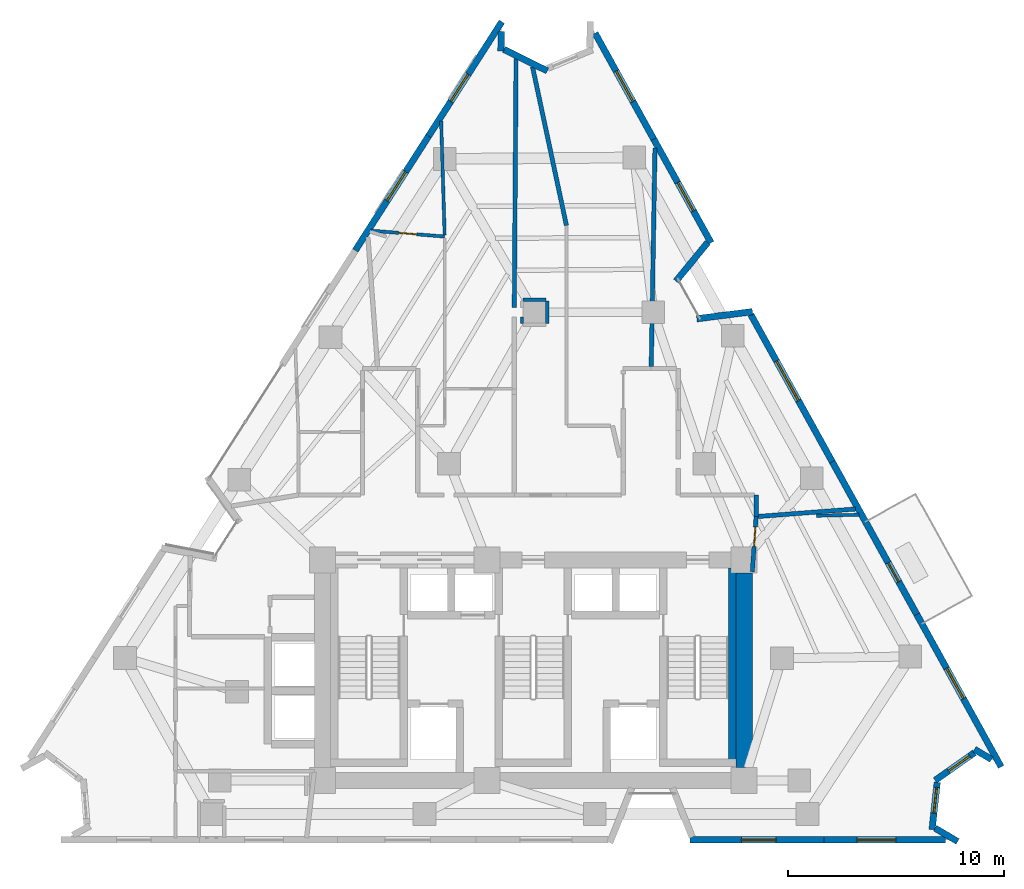
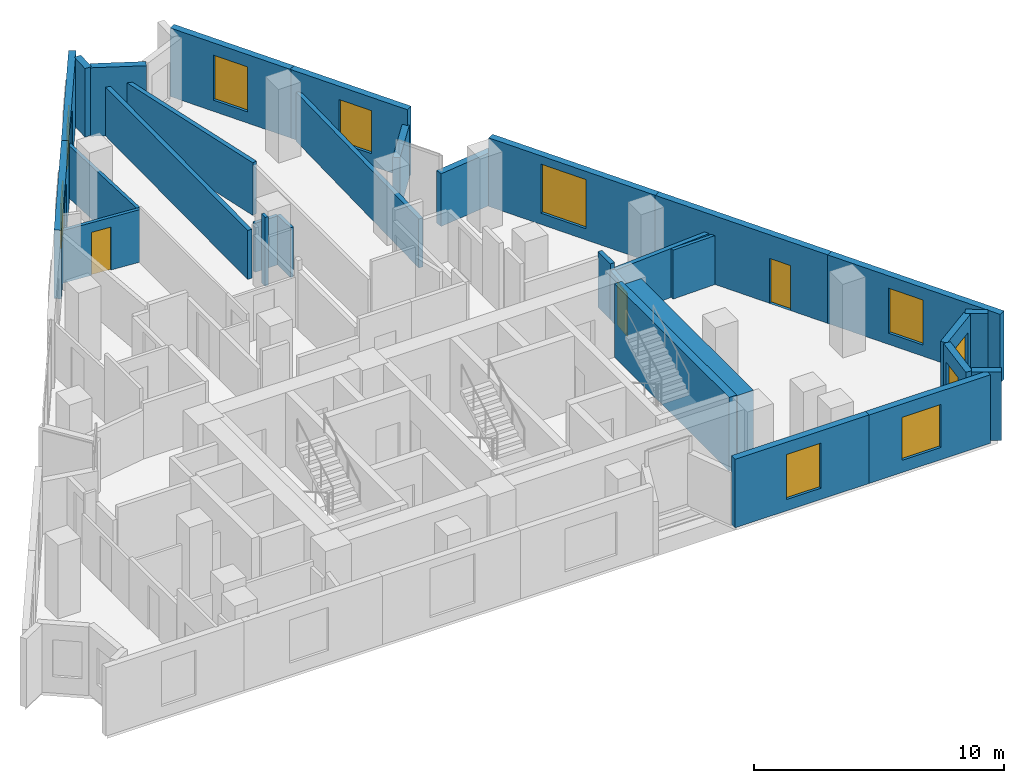
# One storey, part 8 of 11: 31 walls, 10 windows, 3 doors, 13 openings.
"""IFC4 building model written with IfcOpenShell, lengths in metres."""

from ifc_helpers import new_model, si_unit, direction, frame, frame_2d, origin, place, context, subcontext, project, spatial, rectangle, extrude, material, layer, layer_set, type_object, element, fill, save


model = new_model("IFC4")

# Units and contexts
model_context = context("Model", 3, precision=1e-05, world=origin(), true_north=direction((0.0, 1.0)))
body_context = subcontext(model_context, "Body", "Model", "MODEL_VIEW")
ifc_project = project(units=[si_unit("LENGTHUNIT", "METRE"), si_unit("AREAUNIT", "SQUARE_METRE"), si_unit("VOLUMEUNIT", "CUBIC_METRE"), si_unit("PLANEANGLEUNIT", "RADIAN"), si_unit("MASSUNIT", "GRAM", prefix="KILO")], contexts=[model_context])

# Site, building, storey
site_placement = place(None, origin())
site = spatial("IfcSite", under=ifc_project, at=site_placement, CompositionType="ELEMENT")
building_placement = place(site_placement, origin())
building = spatial("IfcBuilding", under=site, at=building_placement, Name="Almagre Mirador Tower", CompositionType="ELEMENT")
storey_placement = place(building_placement, frame((0.0, 0.0, 160.800048828125)))
storey = spatial("IfcBuildingStorey", under=building, at=storey_placement, Name="L41", CompositionType="ELEMENT", Elevation=160.800048828125)

# Wall, opening, window
ifc_material_1 = material(Name="Precast concrete C50/60", Category="concrete")
ifc_layer_1 = layer(ifc_material_1, 0.300048828125)
ifc_layer_set_1 = layer_set([ifc_layer_1], Name="Precast concrete C50/60")
wall_type_1 = type_object("IfcWallType", Name="WAL-EXT-300", PredefinedType="SOLIDWALL", material=ifc_layer_set_1)
wall_1_placement = place(storey_placement, frame((29.06689453125, 29.05859375, 0.0), z_axis=(0.0, 0.0, 1.0), x_axis=(0.539534675603, 0.841963380333, 0.0)))
wall_1 = element("IfcWall", 1, at=wall_1_placement, inside=storey, type_object=wall_type_1, Name="L41 expressed almagre precast frame wall 04", PredefinedType="SOLIDWALL", context=body_context, shape_type="SweptSolid", body=[
    extrude(rectangle(XDim=6.27880859375, YDim=0.300048828125, at=frame_2d((3.139404296875, 0.0))), origin(), (0.0, 0.0, 1.0), 3.349853515625),
])
opening_1_placement = place(wall_1_placement, frame((2.72509765625, 0.0, 0.550048828125)))
opening_1 = element("IfcOpeningElement", 2, at=opening_1_placement, cuts=wall_1, Name="Opening WN-06", PredefinedType="OPENING", context=body_context, shape_type="SweptSolid", body=[
    extrude(rectangle(XDim=1.60009765625, YDim=2.199951171875, at=frame_2d((0.800048828125, 1.10009765625))), frame((0.0, 0.159902, 0.0), z_axis=(0.0, -1.0, 0.0), x_axis=(1.0, 0.0, 0.0)), (0.0, 0.0, 1.0), 0.320049),
])
ifc_material_2 = material(Name="Dark solar-control laminated hurricane glass", Category="glass")
window_type_1 = type_object("IfcWindowType", Name="WIN-1600X2200", PartitioningType="DOUBLE_PANEL_VERTICAL", PredefinedType="WINDOW", material=ifc_material_2)
window_1_placement = place(opening_1_placement, origin())
window_1 = element("IfcWindow", 3, at=window_1_placement, inside=storey, type_object=window_type_1, Name="L41 recessed hurricane window L41-UG-HB", OverallHeight=2.199951171875, OverallWidth=1.60009765625, PartitioningType="SINGLE_PANEL", PredefinedType="WINDOW", context=body_context, shape_type="SweptSolid", body=[
    extrude(rectangle(XDim=1.60009765625, YDim=2.199951171875, at=frame_2d((0.800048828125, 1.10009765625))), frame((0.0, 0.030029296875, 0.0), z_axis=(0.0, -1.0, 0.0), x_axis=(1.0, 0.0, 0.0)), (0.0, 0.0, 1.0), 0.06005859375),
])
fill(opening_1, window_1)

wall_2_placement = place(storey_placement, frame((32.45458984375, 34.34521484375, 0.0), z_axis=(0.0, 0.0, 1.0), x_axis=(0.539489448276, 0.841992360535, 0.0)))
wall_2 = element("IfcWall", 4, at=wall_2_placement, inside=storey, type_object=wall_type_1, Name="L41 expressed almagre precast frame wall 05", PredefinedType="SOLIDWALL", context=body_context, shape_type="SweptSolid", body=[
    extrude(rectangle(XDim=6.279052734375, YDim=0.300048828125, at=frame_2d((3.1396484375, 0.0))), origin(), (0.0, 0.0, 1.0), 3.349853515625),
])
opening_2_placement = place(wall_2_placement, frame((1.89990234375, 0.0, 0.60009765625)))
opening_2 = element("IfcOpeningElement", 5, at=opening_2_placement, cuts=wall_2, Name="Opening WN-03", PredefinedType="OPENING", context=body_context, shape_type="SweptSolid", body=[
    extrude(rectangle(XDim=1.5, YDim=2.10009765625, at=frame_2d((0.75, 1.050048828125))), frame((0.0, 0.159902, 0.0), z_axis=(0.0, -1.0, 0.0), x_axis=(1.0, 0.0, 0.0)), (0.0, 0.0, 1.0), 0.320049),
])
ifc_material_3 = material(Name="Dark solar-control laminated hurricane glass", Category="glass")
window_type_2 = type_object("IfcWindowType", Name="WIN-1500X2100", PartitioningType="DOUBLE_PANEL_VERTICAL", PredefinedType="WINDOW", material=ifc_material_3)
window_2_placement = place(opening_2_placement, origin())
window_2 = element("IfcWindow", 6, at=window_2_placement, inside=storey, type_object=window_type_2, Name="L41 recessed hurricane window L41-UG-SL1", OverallHeight=2.10009765625, OverallWidth=1.5, PartitioningType="SINGLE_PANEL", PredefinedType="WINDOW", context=body_context, shape_type="SweptSolid", body=[
    extrude(rectangle(XDim=1.5, YDim=2.10009765625, at=frame_2d((0.75, 1.050048828125))), frame((0.0, 0.030029296875, 0.0), z_axis=(0.0, -1.0, 0.0), x_axis=(1.0, 0.0, 0.0)), (0.0, 0.0, 1.0), 0.06005859375),
])
fill(opening_2, window_2)

# Walls
wall_3_placement = place(storey_placement, frame((35.82763671875, 39.187255859375, 0.0), z_axis=(0.0, 0.0, 1.0), x_axis=(-0.031938584897, -0.999489833262, 0.0)))
element("IfcWall", 7, at=wall_3_placement, inside=storey, type_object=wall_type_1, Name="L41 expressed almagre precast frame wall 06", PredefinedType="SOLIDWALL", context=body_context, shape_type="SweptSolid", body=[
    extrude(rectangle(XDim=0.90966796875, YDim=0.300048828125, at=frame_2d((0.454833984375, 0.0))), origin(), (0.0, 0.0, 1.0), 3.349853515625),
])
wall_4_placement = place(storey_placement, frame((35.928466796875, 38.35595703125, 0.0), z_axis=(0.0, 0.0, 1.0), x_axis=(0.896845505116, -0.442343915922, 0.0)))
element("IfcWall", 8, at=wall_4_placement, inside=storey, type_object=wall_type_1, Name="L41 expressed almagre precast frame wall 07", PredefinedType="SOLIDWALL", context=body_context, shape_type="SweptSolid", body=[
    extrude(rectangle(XDim=2.2490234375, YDim=0.300048828125, at=frame_2d((1.12451171875, 0.0))), origin(), (0.0, 0.0, 1.0), 3.349853515625),
])

# Wall, opening, window
wall_5_placement = place(storey_placement, frame((40.15478515625, 39.106201171875, 0.0), z_axis=(0.0, 0.0, 1.0), x_axis=(0.484204903903, -0.874954633702, 0.0)))
wall_5 = element("IfcWall", 9, at=wall_5_placement, inside=storey, type_object=wall_type_1, Name="L41 expressed almagre precast frame wall 10", PredefinedType="SOLIDWALL", context=body_context, shape_type="SweptSolid", body=[
    extrude(rectangle(XDim=5.653076171875, YDim=0.300048828125, at=frame_2d((2.82666015625, 0.0))), origin(), (0.0, 0.0, 1.0), 3.349853515625),
])
opening_3_placement = place(wall_5_placement, frame((2.010009765625, 0.0, 0.550048828125)))
opening_3 = element("IfcOpeningElement", 10, at=opening_3_placement, cuts=wall_5, Name="Opening WN-06", PredefinedType="OPENING", context=body_context, shape_type="SweptSolid", body=[
    extrude(rectangle(XDim=1.60009765625, YDim=2.199951171875, at=frame_2d((0.800048828125, 1.10009765625))), frame((0.0, 0.159902, 0.0), z_axis=(0.0, -1.0, 0.0), x_axis=(1.0, 0.0, 0.0)), (0.0, 0.0, 1.0), 0.320049),
])
window_3_placement = place(opening_3_placement, origin())
window_3 = element("IfcWindow", 11, at=window_3_placement, inside=storey, type_object=window_type_1, Name="L41 recessed hurricane window L41-RST-H", OverallHeight=2.199951171875, OverallWidth=1.60009765625, PartitioningType="SINGLE_PANEL", PredefinedType="WINDOW", context=body_context, shape_type="SweptSolid", body=[
    extrude(rectangle(XDim=1.60009765625, YDim=2.199951171875, at=frame_2d((0.800048828125, 1.10009765625))), frame((0.0, 0.030029296875, 0.0), z_axis=(0.0, -1.0, 0.0), x_axis=(1.0, 0.0, 0.0)), (0.0, 0.0, 1.0), 0.06005859375),
])
fill(opening_3, window_3)

wall_6_placement = place(storey_placement, frame((42.866455078125, 34.206298828125, 0.0), z_axis=(0.0, 0.0, 1.0), x_axis=(0.484193476584, -0.874960957548, 0.0)))
wall_6 = element("IfcWall", 12, at=wall_6_placement, inside=storey, type_object=wall_type_1, Name="L41 expressed almagre precast frame wall 11", PredefinedType="SOLIDWALL", context=body_context, shape_type="SweptSolid", body=[
    extrude(rectangle(XDim=5.47998046875, YDim=0.300048828125, at=frame_2d((2.739990234375, 0.0))), origin(), (0.0, 0.0, 1.0), 3.349853515625),
])
opening_4_placement = place(wall_6_placement, frame((2.294921875, 0.0, 0.60009765625)))
opening_4 = element("IfcOpeningElement", 13, at=opening_4_placement, cuts=wall_6, Name="Opening WN-03", PredefinedType="OPENING", context=body_context, shape_type="SweptSolid", body=[
    extrude(rectangle(XDim=1.5, YDim=2.10009765625, at=frame_2d((0.75, 1.050048828125))), frame((0.0, 0.159902, 0.0), z_axis=(0.0, -1.0, 0.0), x_axis=(1.0, 0.0, 0.0)), (0.0, 0.0, 1.0), 0.320049),
])
window_4_placement = place(opening_4_placement, origin())
window_4 = element("IfcWindow", 14, at=window_4_placement, inside=storey, type_object=window_type_2, Name="L41 recessed hurricane window L41-UF-ST", OverallHeight=2.10009765625, OverallWidth=1.5, PartitioningType="SINGLE_PANEL", PredefinedType="WINDOW", context=body_context, shape_type="SweptSolid", body=[
    extrude(rectangle(XDim=1.5, YDim=2.10009765625, at=frame_2d((0.75, 1.050048828125))), frame((0.0, 0.030029296875, 0.0), z_axis=(0.0, -1.0, 0.0), x_axis=(1.0, 0.0, 0.0)), (0.0, 0.0, 1.0), 0.06005859375),
])
fill(opening_4, window_4)

# Walls
wall_7_placement = place(storey_placement, frame((45.36328125, 29.42578125, 0.0), z_axis=(0.0, 0.0, 1.0), x_axis=(-0.634082112051, -0.773265720937, 0.0)))
element("IfcWall", 15, at=wall_7_placement, inside=storey, type_object=wall_type_1, Name="L41 expressed almagre precast frame wall 12", PredefinedType="SOLIDWALL", context=body_context, shape_type="SweptSolid", body=[
    extrude(rectangle(XDim=2.313720703125, YDim=0.300048828125, at=frame_2d((1.15673828125, 0.0))), origin(), (0.0, 0.0, 1.0), 2.574951171875),
])
wall_8_placement = place(storey_placement, frame((44.858154296875, 25.8994140625, 0.0), z_axis=(0.0, 0.0, 1.0), x_axis=(0.991953049751, 0.126606267974, 0.0)))
element("IfcWall", 16, at=wall_8_placement, inside=storey, type_object=wall_type_1, Name="L41 expressed almagre precast frame wall 13", PredefinedType="SOLIDWALL", context=body_context, shape_type="SweptSolid", body=[
    extrude(rectangle(XDim=2.593505859375, YDim=0.300048828125, at=frame_2d((1.296875, 0.0))), origin(), (0.0, 0.0, 1.0), 2.574951171875),
])

# Wall, opening, window
wall_9_placement = place(storey_placement, frame((47.35986328125, 26.08740234375, 0.0), z_axis=(0.0, 0.0, 1.0), x_axis=(0.484182040501, -0.874967286049, 0.0)))
wall_9 = element("IfcWall", 17, at=wall_9_placement, inside=storey, type_object=wall_type_1, Name="L41 expressed almagre precast frame wall 14", PredefinedType="SOLIDWALL", context=body_context, shape_type="SweptSolid", body=[
    extrude(rectangle(XDim=7.779296875, YDim=0.300048828125, at=frame_2d((3.8896484375, 0.0))), origin(), (0.0, 0.0, 1.0), 3.349853515625),
])
opening_5_placement = place(wall_9_placement, frame((2.445068359375, 0.0, 0.550048828125)))
opening_5 = element("IfcOpeningElement", 18, at=opening_5_placement, cuts=wall_9, Name="Opening WN-05", PredefinedType="OPENING", context=body_context, shape_type="SweptSolid", body=[
    extrude(rectangle(XDim=2.10009765625, YDim=2.39990234375, at=frame_2d((1.050048828125, 1.199951171875))), frame((0.0, 0.159902, 0.0), z_axis=(0.0, -1.0, 0.0), x_axis=(1.0, 0.0, 0.0)), (0.0, 0.0, 1.0), 0.320049),
])
ifc_material_4 = material(Name="Dark solar-control laminated hurricane glass", Category="glass")
window_type_3 = type_object("IfcWindowType", Name="WIN-2100X2400", PartitioningType="DOUBLE_PANEL_VERTICAL", PredefinedType="WINDOW", material=ifc_material_4)
window_5_placement = place(opening_5_placement, origin())
window_5 = element("IfcWindow", 19, at=window_5_placement, inside=storey, type_object=window_type_3, Name="L41 recessed hurricane window L41-UF-ST", OverallHeight=2.39990234375, OverallWidth=2.10009765625, PartitioningType="SINGLE_PANEL", PredefinedType="WINDOW", context=body_context, shape_type="SweptSolid", body=[
    extrude(rectangle(XDim=2.10009765625, YDim=2.39990234375, at=frame_2d((1.050048828125, 1.199951171875))), frame((0.0, 0.030029296875, 0.0), z_axis=(0.0, -1.0, 0.0), x_axis=(1.0, 0.0, 0.0)), (0.0, 0.0, 1.0), 0.06005859375),
])
fill(opening_5, window_5)

# Wall, opening, door
wall_10_placement = place(storey_placement, frame((51.12646484375, 19.28076171875, 0.0), z_axis=(0.0, 0.0, 1.0), x_axis=(0.484181305153, -0.87496769297, 0.0)))
wall_10 = element("IfcWall", 20, at=wall_10_placement, inside=storey, type_object=wall_type_1, Name="L41 expressed almagre precast frame wall 15", PredefinedType="SOLIDWALL", context=body_context, shape_type="SweptSolid", body=[
    extrude(rectangle(XDim=8.05908203125, YDim=0.300048828125, at=frame_2d((4.029541015625, 0.0))), origin(), (0.0, 0.0, 1.0), 3.349853515625),
])
opening_6_placement = place(wall_10_placement, frame((5.3349609375, 0.0, 0.0)))
opening_6 = element("IfcOpeningElement", 21, at=opening_6_placement, cuts=wall_10, Name="Opening BD-01", PredefinedType="OPENING", context=body_context, shape_type="SweptSolid", body=[
    extrude(rectangle(XDim=1.0, YDim=2.199951171875, at=frame_2d((0.5, 1.10009765625))), frame((0.0, 0.159902, 0.0), z_axis=(0.0, -1.0, 0.0), x_axis=(1.0, 0.0, 0.0)), (0.0, 0.0, 1.0), 0.320049),
])
ifc_material_5 = material(Name="Black anodized aluminium and laminated glass", Category="aluminium")
door_type_1 = type_object("IfcDoorType", Name="DOR-BAL-1000X2200", OperationType="NOTDEFINED", PredefinedType="DOOR", material=ifc_material_5)
door_1_placement = place(opening_6_placement, origin())
door_1 = element("IfcDoor", 22, at=door_1_placement, inside=storey, type_object=door_type_1, Name="DR-1315 L41 east balcony glazed door 1", OperationType="SINGLE_SWING_RIGHT", OverallHeight=2.199951171875, OverallWidth=1.0, PredefinedType="DOOR", context=body_context, shape_type="SweptSolid", body=[
    extrude(rectangle(XDim=1.0, YDim=2.199951171875, at=frame_2d((0.5, 1.10009765625))), frame((0.0, 0.02490234375, 0.0), z_axis=(0.0, -1.0, 0.0), x_axis=(1.0, 0.0, 0.0)), (0.0, 0.0, 1.0), 0.050048828125),
])
fill(opening_6, door_1)

# Wall, opening, window
wall_11_placement = place(storey_placement, frame((55.028564453125, 12.229248046875, 0.0), z_axis=(0.0, 0.0, 1.0), x_axis=(0.484191662818, -0.874961961263, 0.0)))
wall_11 = element("IfcWall", 23, at=wall_11_placement, inside=storey, type_object=wall_type_1, Name="L41 expressed almagre precast frame wall 16", PredefinedType="SOLIDWALL", context=body_context, shape_type="SweptSolid", body=[
    extrude(rectangle(XDim=8.0595703125, YDim=0.300048828125, at=frame_2d((4.02978515625, 0.0))), origin(), (0.0, 0.0, 1.0), 3.349853515625),
])
opening_7_placement = place(wall_11_placement, frame((2.85009765625, 0.0, 0.550048828125)))
opening_7 = element("IfcOpeningElement", 24, at=opening_7_placement, cuts=wall_11, Name="Opening WN-06", PredefinedType="OPENING", context=body_context, shape_type="SweptSolid", body=[
    extrude(rectangle(XDim=1.60009765625, YDim=2.199951171875, at=frame_2d((0.800048828125, 1.10009765625))), frame((0.0, 0.159902, 0.0), z_axis=(0.0, -1.0, 0.0), x_axis=(1.0, 0.0, 0.0)), (0.0, 0.0, 1.0), 0.320049),
])
window_6_placement = place(opening_7_placement, origin())
window_6 = element("IfcWindow", 25, at=window_6_placement, inside=storey, type_object=window_type_1, Name="L41 recessed hurricane window L41-UC-MB", OverallHeight=2.199951171875, OverallWidth=1.60009765625, PartitioningType="SINGLE_PANEL", PredefinedType="WINDOW", context=body_context, shape_type="SweptSolid", body=[
    extrude(rectangle(XDim=1.60009765625, YDim=2.199951171875, at=frame_2d((0.800048828125, 1.10009765625))), frame((0.0, 0.030029296875, 0.0), z_axis=(0.0, -1.0, 0.0), x_axis=(1.0, 0.0, 0.0)), (0.0, 0.0, 1.0), 0.06005859375),
])
fill(opening_7, window_6)

# Wall
wall_12_placement = place(storey_placement, frame((58.48388671875, 5.523681640625, 0.0), z_axis=(0.0, 0.0, 1.0), x_axis=(-0.861425815417, 0.507883416281, 0.0)))
element("IfcWall", 26, at=wall_12_placement, inside=storey, type_object=wall_type_1, Name="L41 expressed almagre precast frame wall 17", PredefinedType="SOLIDWALL", context=body_context, shape_type="SweptSolid", body=[
    extrude(rectangle(XDim=0.914306640625, YDim=0.300048828125, at=frame_2d((0.45703125, 0.0))), origin(), (0.0, 0.0, 1.0), 3.349853515625),
])

# Wall, opening, window
wall_13_placement = place(storey_placement, frame((57.698486328125, 5.83349609375, 0.0), z_axis=(0.0, 0.0, 1.0), x_axis=(-0.817967042546, -0.575265084382, 0.0)))
wall_13 = element("IfcWall", 27, at=wall_13_placement, inside=storey, type_object=wall_type_1, Name="L41 expressed almagre precast frame wall 18", PredefinedType="SOLIDWALL", context=body_context, shape_type="SweptSolid", body=[
    extrude(rectangle(XDim=2.22509765625, YDim=0.300048828125, at=frame_2d((1.112548828125, 0.0))), origin(), (0.0, 0.0, 1.0), 3.349853515625),
])
opening_8_placement = place(wall_13_placement, frame((0.264892578125, 0.0, 0.800048828125)))
opening_8 = element("IfcOpeningElement", 28, at=opening_8_placement, cuts=wall_13, Name="Opening WN-04", PredefinedType="OPENING", context=body_context, shape_type="SweptSolid", body=[
    extrude(rectangle(XDim=1.199951171875, YDim=1.800048828125, at=frame_2d((0.60009765625, 0.89990234375))), frame((0.0, 0.159902, 0.0), z_axis=(0.0, -1.0, 0.0), x_axis=(1.0, 0.0, 0.0)), (0.0, 0.0, 1.0), 0.320049),
])
ifc_material_6 = material(Name="Dark solar-control laminated hurricane glass", Category="glass")
window_type_4 = type_object("IfcWindowType", Name="WIN-1200X1800", PartitioningType="SINGLE_PANEL", PredefinedType="WINDOW", material=ifc_material_6)
window_7_placement = place(opening_8_placement, origin())
window_7 = element("IfcWindow", 29, at=window_7_placement, inside=storey, type_object=window_type_4, Name="L41 recessed hurricane window L41-UC-MB", OverallHeight=1.800048828125, OverallWidth=1.199951171875, PartitioningType="SINGLE_PANEL", PredefinedType="WINDOW", context=body_context, shape_type="SweptSolid", body=[
    extrude(rectangle(XDim=1.199951171875, YDim=1.800048828125, at=frame_2d((0.60009765625, 0.89990234375))), frame((0.0, 0.030029296875, 0.0), z_axis=(0.0, -1.0, 0.0), x_axis=(1.0, 0.0, 0.0)), (0.0, 0.0, 1.0), 0.06005859375),
])
fill(opening_8, window_7)

wall_14_placement = place(storey_placement, frame((55.975341796875, 4.469970703125, 0.0), z_axis=(0.0, 0.0, 1.0), x_axis=(-0.107733264194, -0.994179834731, 0.0)))
wall_14 = element("IfcWall", 30, at=wall_14_placement, inside=storey, type_object=wall_type_1, Name="L41 expressed almagre precast frame wall 19", PredefinedType="SOLIDWALL", context=body_context, shape_type="SweptSolid", body=[
    extrude(rectangle(XDim=2.205078125, YDim=0.300048828125, at=frame_2d((1.1025390625, 0.0))), origin(), (0.0, 0.0, 1.0), 3.349853515625),
])
opening_9_placement = place(wall_14_placement, frame((0.2451171875, 0.0, 0.800048828125)))
opening_9 = element("IfcOpeningElement", 31, at=opening_9_placement, cuts=wall_14, Name="Opening WN-04", PredefinedType="OPENING", context=body_context, shape_type="SweptSolid", body=[
    extrude(rectangle(XDim=1.199951171875, YDim=1.800048828125, at=frame_2d((0.60009765625, 0.89990234375))), frame((0.0, 0.159902, 0.0), z_axis=(0.0, -1.0, 0.0), x_axis=(1.0, 0.0, 0.0)), (0.0, 0.0, 1.0), 0.320049),
])
window_8_placement = place(opening_9_placement, origin())
window_8 = element("IfcWindow", 32, at=window_8_placement, inside=storey, type_object=window_type_4, Name="L41 recessed hurricane window L41-UC-MB", OverallHeight=1.800048828125, OverallWidth=1.199951171875, PartitioningType="SINGLE_PANEL", PredefinedType="WINDOW", context=body_context, shape_type="SweptSolid", body=[
    extrude(rectangle(XDim=1.199951171875, YDim=1.800048828125, at=frame_2d((0.60009765625, 0.89990234375))), frame((0.0, 0.030029296875, 0.0), z_axis=(0.0, -1.0, 0.0), x_axis=(1.0, 0.0, 0.0)), (0.0, 0.0, 1.0), 0.06005859375),
])
fill(opening_9, window_8)

# Wall
wall_15_placement = place(storey_placement, frame((55.87353515625, 2.345947265625, 0.0), z_axis=(0.0, 0.0, 1.0), x_axis=(0.861577684209, -0.50762574213, 0.0)))
element("IfcWall", 33, at=wall_15_placement, inside=storey, type_object=wall_type_1, Name="L41 expressed almagre precast frame wall 20", PredefinedType="SOLIDWALL", context=body_context, shape_type="SweptSolid", body=[
    extrude(rectangle(XDim=1.21533203125, YDim=0.300048828125, at=frame_2d((0.607666015625, 0.0))), origin(), (0.0, 0.0, 1.0), 3.349853515625),
])

# Wall, opening, window
wall_16_placement = place(storey_placement, frame((56.360107421875, 1.800048828125, 0.0), z_axis=(0.0, 0.0, 1.0), x_axis=(-1.0, 0.0, 0.0)))
wall_16 = element("IfcWall", 34, at=wall_16_placement, inside=storey, type_object=wall_type_1, Name="L41 expressed almagre precast frame wall 21", PredefinedType="SOLIDWALL", context=body_context, shape_type="SweptSolid", body=[
    extrude(rectangle(XDim=5.614013671875, YDim=0.300048828125, at=frame_2d((2.80712890625, 0.0))), origin(), (0.0, 0.0, 1.0), 3.349853515625),
])
opening_10_placement = place(wall_16_placement, frame((2.294921875, 0.0, 0.60009765625)))
opening_10 = element("IfcOpeningElement", 35, at=opening_10_placement, cuts=wall_16, Name="Opening WN-01", PredefinedType="OPENING", context=body_context, shape_type="SweptSolid", body=[
    extrude(rectangle(XDim=1.800048828125, YDim=2.10009765625, at=frame_2d((0.89990234375, 1.050048828125))), frame((0.0, 0.159902, 0.0), z_axis=(0.0, -1.0, 0.0), x_axis=(1.0, 0.0, 0.0)), (0.0, 0.0, 1.0), 0.320049),
])
ifc_material_7 = material(Name="Dark solar-control laminated hurricane glass", Category="glass")
window_type_5 = type_object("IfcWindowType", Name="WIN-1800X2100", PartitioningType="DOUBLE_PANEL_VERTICAL", PredefinedType="WINDOW", material=ifc_material_7)
window_9_placement = place(opening_10_placement, origin())
window_9 = element("IfcWindow", 36, at=window_9_placement, inside=storey, type_object=window_type_5, Name="L41 recessed hurricane window L41-UC-KT", OverallHeight=2.10009765625, OverallWidth=1.800048828125, PartitioningType="SINGLE_PANEL", PredefinedType="WINDOW", context=body_context, shape_type="SweptSolid", body=[
    extrude(rectangle(XDim=1.800048828125, YDim=2.10009765625, at=frame_2d((0.89990234375, 1.050048828125))), frame((0.0, 0.030029296875, 0.0), z_axis=(0.0, -1.0, 0.0), x_axis=(1.0, 0.0, 0.0)), (0.0, 0.0, 1.0), 0.06005859375),
])
fill(opening_10, window_9)

wall_17_placement = place(storey_placement, frame((50.74609375, 1.800048828125, 0.0), z_axis=(0.0, 0.0, 1.0), x_axis=(-1.0, 0.0, 0.0)))
wall_17 = element("IfcWall", 37, at=wall_17_placement, inside=storey, type_object=wall_type_1, Name="L41 expressed almagre precast frame wall 22", PredefinedType="SOLIDWALL", context=body_context, shape_type="SweptSolid", body=[
    extrude(rectangle(XDim=6.194091796875, YDim=0.300048828125, at=frame_2d((3.09716796875, 0.0))), origin(), (0.0, 0.0, 1.0), 3.349853515625),
])
opening_11_placement = place(wall_17_placement, frame((2.22509765625, 0.0, 0.550048828125)))
opening_11 = element("IfcOpeningElement", 38, at=opening_11_placement, cuts=wall_17, Name="Opening WN-06", PredefinedType="OPENING", context=body_context, shape_type="SweptSolid", body=[
    extrude(rectangle(XDim=1.60009765625, YDim=2.199951171875, at=frame_2d((0.800048828125, 1.10009765625))), frame((0.0, 0.159902, 0.0), z_axis=(0.0, -1.0, 0.0), x_axis=(1.0, 0.0, 0.0)), (0.0, 0.0, 1.0), 0.320049),
])
window_10_placement = place(opening_11_placement, origin())
window_10 = element("IfcWindow", 39, at=window_10_placement, inside=storey, type_object=window_type_1, Name="L41 recessed hurricane window L41-RST-B", OverallHeight=2.199951171875, OverallWidth=1.60009765625, PartitioningType="SINGLE_PANEL", PredefinedType="WINDOW", context=body_context, shape_type="SweptSolid", body=[
    extrude(rectangle(XDim=1.60009765625, YDim=2.199951171875, at=frame_2d((0.800048828125, 1.10009765625))), frame((0.0, 0.030029296875, 0.0), z_axis=(0.0, -1.0, 0.0), x_axis=(1.0, 0.0, 0.0)), (0.0, 0.0, 1.0), 0.06005859375),
])
fill(opening_11, window_10)

# Wall, opening, door
ifc_material_8 = material(Name="Gypsum acoustic stud partition", Category="other")
ifc_layer_2 = layer(ifc_material_8, 0.14990234375)
ifc_layer_set_2 = layer_set([ifc_layer_2], Name="Gypsum acoustic stud partition")
wall_type_2 = type_object("IfcWallType", Name="WAL-PRT-150-STD", PredefinedType="PARTITIONING", material=ifc_layer_set_2)
wall_18_placement = place(storey_placement, frame((33.199951171875, 29.699951171875, 0.0), z_axis=(0.0, 0.0, 1.0), x_axis=(-0.996817095408, 0.079722508132, 0.0)))
wall_18 = element("IfcWall", 40, at=wall_18_placement, inside=storey, type_object=wall_type_2, Name="L41 interior partition 059", PredefinedType="PARTITIONING", context=body_context, shape_type="SweptSolid", body=[
    extrude(rectangle(XDim=3.417724609375, YDim=0.14990234375, at=frame_2d((1.708984375, 0.0))), origin(), (0.0, 0.0, 1.0), 2.570068359375),
])
opening_12_placement = place(wall_18_placement, frame((1.29345703125, 0.0, 0.0)))
opening_12 = element("IfcOpeningElement", 41, at=opening_12_placement, cuts=wall_18, Name="Opening UD-04", PredefinedType="OPENING", context=body_context, shape_type="SweptSolid", body=[
    extrude(rectangle(XDim=0.85009765625, YDim=2.10009765625, at=frame_2d((0.425048828125, 1.050048828125))), frame((0.0, 0.084951, 0.0), z_axis=(0.0, -1.0, 0.0), x_axis=(1.0, 0.0, 0.0)), (0.0, 0.0, 1.0), 0.169902),
])
ifc_material_9 = material(Name="Moisture-resistant oak timber", Category="wood")
door_type_2 = type_object("IfcDoorType", Name="DOR-UNR-850X2100", OperationType="NOTDEFINED", PredefinedType="DOOR", material=ifc_material_9)
door_2_placement = place(opening_12_placement, origin())
door_2 = element("IfcDoor", 42, at=door_2_placement, inside=storey, type_object=door_type_2, Name="DR-1334 L41 interior door L41-UG-ST to L41-UG-HB", OperationType="SINGLE_SWING_LEFT", OverallHeight=2.10009765625, OverallWidth=0.85009765625, PredefinedType="DOOR", context=body_context, shape_type="SweptSolid", body=[
    extrude(rectangle(XDim=0.85009765625, YDim=2.10009765625, at=frame_2d((0.425048828125, 1.050048828125))), frame((0.0, 0.02490234375, 0.0), z_axis=(0.0, -1.0, 0.0), x_axis=(1.0, 0.0, 0.0)), (0.0, 0.0, 1.0), 0.050048828125),
])
fill(opening_12, door_2)

# Walls
wall_19_placement = place(storey_placement, frame((33.19873046875, 29.760009765625, 0.0), z_axis=(0.0, 0.0, 1.0), x_axis=(-0.030856354446, 0.999523829326, 0.0)))
element("IfcWall", 43, at=wall_19_placement, inside=storey, type_object=wall_type_2, Name="L41 interior partition 063", PredefinedType="PARTITIONING", context=body_context, shape_type="SweptSolid", body=[
    extrude(rectangle(XDim=5.27734375, YDim=0.14990234375, at=frame_2d((2.638671875, 0.0))), origin(), (0.0, 0.0, 1.0), 2.570068359375),
])
wall_20_placement = place(storey_placement, frame((52.34912109375, 16.8359375, 0.0), z_axis=(0.0, 0.0, 1.0), x_axis=(-0.999727879239, -0.023327397455, 0.0)))
element("IfcWall", 44, at=wall_20_placement, inside=storey, type_object=wall_type_2, Name="L41 interior partition 067", PredefinedType="PARTITIONING", context=body_context, shape_type="SweptSolid", body=[
    extrude(rectangle(XDim=1.967529296875, YDim=0.14990234375, at=frame_2d((0.98388671875, 0.0))), origin(), (0.0, 0.0, 1.0), 2.39306640625),
])
wall_21_placement = place(storey_placement, frame((36.820068359375, 26.780029296875, 0.0), z_axis=(0.0, 0.0, 1.0), x_axis=(1.0, 0.0, 0.0)))
element("IfcWall", 45, at=wall_21_placement, inside=storey, type_object=wall_type_2, Name="L41 interior partition 076", PredefinedType="PARTITIONING", context=body_context, shape_type="SweptSolid", body=[
    extrude(rectangle(XDim=1.06982421875, YDim=0.14990234375, at=frame_2d((0.534912109375, 0.0))), origin(), (0.0, 0.0, 1.0), 2.39306640625),
])
wall_22_placement = place(storey_placement, frame((37.93994140625, 26.72998046875, 0.0), z_axis=(0.0, 0.0, 1.0), x_axis=(0.0, -1.0, 0.0)))
element("IfcWall", 46, at=wall_22_placement, inside=storey, type_object=wall_type_2, Name="L41 interior partition 077", PredefinedType="PARTITIONING", context=body_context, shape_type="SweptSolid", body=[
    extrude(rectangle(XDim=1.06005859375, YDim=0.14990234375, at=frame_2d((0.530029296875, 0.0))), origin(), (0.0, 0.0, 1.0), 2.43603515625),
])
wall_23_placement = place(storey_placement, frame((36.77001953125, 25.669921875, 0.0), z_axis=(0.0, 0.0, 1.0), x_axis=(0.0, 1.0, 0.0)))
element("IfcWall", 47, at=wall_23_placement, inside=storey, type_object=wall_type_2, Name="L41 interior partition 079", PredefinedType="PARTITIONING", context=body_context, shape_type="SweptSolid", body=[
    extrude(rectangle(XDim=0.31005859375, YDim=0.14990234375, at=frame_2d((0.155029296875, 0.0))), origin(), (0.0, 0.0, 1.0), 3.349853515625),
])

# Wall, opening, door
ifc_material_10 = material(Name="Gypsum acoustic stud partition", Category="other")
ifc_layer_3 = layer(ifc_material_10, 0.199951171875)
ifc_layer_set_3 = layer_set([ifc_layer_3], Name="Gypsum acoustic stud partition")
wall_type_3 = type_object("IfcWallType", Name="WAL-PRT-200-EI60", PredefinedType="PARTITIONING", material=ifc_layer_set_3)
wall_24_placement = place(storey_placement, frame((47.425048828125, 14.199951171875, 0.0), z_axis=(0.0, 0.0, 1.0), x_axis=(0.068484119878, 0.997652206595, 0.0)))
wall_24 = element("IfcWall", 48, at=wall_24_placement, inside=storey, type_object=wall_type_3, Name="L41 interior partition 004", PredefinedType="PARTITIONING", context=body_context, shape_type="SweptSolid", body=[
    extrude(rectangle(XDim=2.55615234375, YDim=0.199951171875, at=frame_2d((1.278076171875, 0.0))), origin(), (0.0, 0.0, 1.0), 2.39306640625),
])
opening_13_placement = place(wall_24_placement, frame((1.172119140625, 0.0, 0.0)))
opening_13 = element("IfcOpeningElement", 49, at=opening_13_placement, cuts=wall_24, Name="Opening ID-03", PredefinedType="OPENING", context=body_context, shape_type="SweptSolid", body=[
    extrude(rectangle(XDim=0.89990234375, YDim=2.10009765625, at=frame_2d((0.449951171875, 1.050048828125))), frame((0.0, 0.110098, 0.0), z_axis=(0.0, -1.0, 0.0), x_axis=(1.0, 0.0, 0.0)), (0.0, 0.0, 1.0), 0.219951),
])
ifc_material_11 = material(Name="Fire-rated hollow steel", Category="steel")
door_type_3 = type_object("IfcDoorType", Name="DOR-FD60-900X2100", OperationType="NOTDEFINED", PredefinedType="DOOR", material=ifc_material_11)
door_3_placement = place(opening_13_placement, origin())
door_3 = element("IfcDoor", 50, at=door_3_placement, inside=storey, type_object=door_type_3, Name="DR-1321 L41 interior door L41-RCOR to L41-RST-B", OperationType="SINGLE_SWING_RIGHT", OverallHeight=2.10009765625, OverallWidth=0.89990234375, PredefinedType="DOOR", context=body_context, shape_type="SweptSolid", body=[
    extrude(rectangle(XDim=0.89990234375, YDim=2.10009765625, at=frame_2d((0.449951171875, 1.050048828125))), frame((0.0, 0.02490234375, 0.0), z_axis=(0.0, -1.0, 0.0), x_axis=(1.0, 0.0, 0.0)), (0.0, 0.0, 1.0), 0.050048828125),
])
fill(opening_13, door_3)

# Walls
wall_25_placement = place(storey_placement, frame((47.60009765625, 16.75, 0.0), z_axis=(0.0, 0.0, 1.0), x_axis=(0.0, 1.0, 0.0)))
element("IfcWall", 51, at=wall_25_placement, inside=storey, type_object=wall_type_3, Name="L41 interior partition 015", PredefinedType="PARTITIONING", context=body_context, shape_type="SweptSolid", body=[
    extrude(rectangle(XDim=1.0, YDim=0.199951171875, at=frame_2d((0.5, 0.0))), origin(), (0.0, 0.0, 1.0), 2.708984375),
])
wall_26_placement = place(storey_placement, frame((52.197998046875, 17.10107421875, 0.0), z_axis=(0.0, 0.0, 1.0), x_axis=(-0.997091490512, -0.076213906529, 0.0)))
element("IfcWall", 52, at=wall_26_placement, inside=storey, type_object=wall_type_3, Name="L41 interior partition 037", PredefinedType="PARTITIONING", context=body_context, shape_type="SweptSolid", body=[
    extrude(rectangle(XDim=4.5263671875, YDim=0.199951171875, at=frame_2d((2.26318359375, 0.0))), origin(), (0.0, 0.0, 1.0), 2.39306640625),
])
wall_27_placement = place(storey_placement, frame((36.5009765625, 37.94189453125, 0.0), z_axis=(0.0, 0.0, 1.0), x_axis=(-0.007034618495, -0.999975256765, 0.0)))
element("IfcWall", 53, at=wall_27_placement, inside=storey, type_object=wall_type_3, Name="L41 interior partition 051", PredefinedType="PARTITIONING", context=body_context, shape_type="SweptSolid", body=[
    extrude(rectangle(XDim=11.522216796875, YDim=0.199951171875, at=frame_2d((5.76123046875, 0.0))), origin(), (0.0, 0.0, 1.0), 2.39306640625),
])
wall_28_placement = place(storey_placement, frame((38.830078125, 30.2099609375, 0.0), z_axis=(0.0, 0.0, 1.0), x_axis=(-0.208896033751, 0.977937854407, 0.0)))
element("IfcWall", 54, at=wall_28_placement, inside=storey, type_object=wall_type_3, Name="L41 interior partition 052", PredefinedType="PARTITIONING", context=body_context, shape_type="SweptSolid", body=[
    extrude(rectangle(XDim=7.506591796875, YDim=0.199951171875, at=frame_2d((3.75341796875, 0.0))), origin(), (0.0, 0.0, 1.0), 2.570068359375),
])
wall_29_placement = place(storey_placement, frame((42.925048828125, 33.800048828125, 0.0), z_axis=(0.0, 0.0, 1.0), x_axis=(-0.017206788201, -0.999851952261, 0.0)))
element("IfcWall", 55, at=wall_29_placement, inside=storey, type_object=wall_type_3, Name="L41 interior partition 057", PredefinedType="PARTITIONING", context=body_context, shape_type="SweptSolid", body=[
    extrude(rectangle(XDim=10.116455078125, YDim=0.199951171875, at=frame_2d((5.05810546875, 0.0))), origin(), (0.0, 0.0, 1.0), 2.39306640625),
])
ifc_material_12 = material(Name="Concrete C60/75", Category="concrete")
ifc_layer_4 = layer(ifc_material_12, 0.35009765625)
ifc_layer_set_4 = layer_set([ifc_layer_4], Name="Concrete C60/75")
wall_type_4 = type_object("IfcWallType", Name="WAL-SHF-350", PredefinedType="SOLIDWALL", material=ifc_layer_set_4)
wall_30_placement = place(storey_placement, frame((46.5, 5.199951171875, 0.0), z_axis=(0.0, 0.0, 1.0), x_axis=(0.0, 1.0, 0.0)))
element("IfcWall", 56, at=wall_30_placement, inside=storey, type_object=wall_type_4, Name="L41 shaft wall ST3-E", PredefinedType="SOLIDWALL", context=body_context, shape_type="SweptSolid", body=[
    extrude(rectangle(XDim=9.175048828125, YDim=0.35009765625, at=frame_2d((4.58740234375, 0.0))), origin(), (0.0, 0.0, 1.0), 3.599853515625),
])
ifc_material_13 = material(Name="Concrete C60/75", Category="concrete")
ifc_layer_5 = layer(ifc_material_13, 0.75)
ifc_layer_set_5 = layer_set([ifc_layer_5], Name="Concrete C60/75")
wall_type_5 = type_object("IfcWallType", Name="WAL-SHR-750", PredefinedType="SHEAR", material=ifc_layer_set_5)
wall_31_placement = place(storey_placement, frame((47.050048828125, 5.14990234375, 0.0), z_axis=(0.0, 0.0, 1.0), x_axis=(0.0, 1.0, 0.0)))
element("IfcWall", 57, at=wall_31_placement, inside=storey, type_object=wall_type_5, Name="L41 core shear wall E1", PredefinedType="SHEAR", context=body_context, shape_type="SweptSolid", body=[
    extrude(rectangle(XDim=9.0, YDim=0.75, at=frame_2d((4.5, 0.0))), origin(), (0.0, 0.0, 1.0), 3.599853515625),
])

save(model, "model.ifc")
